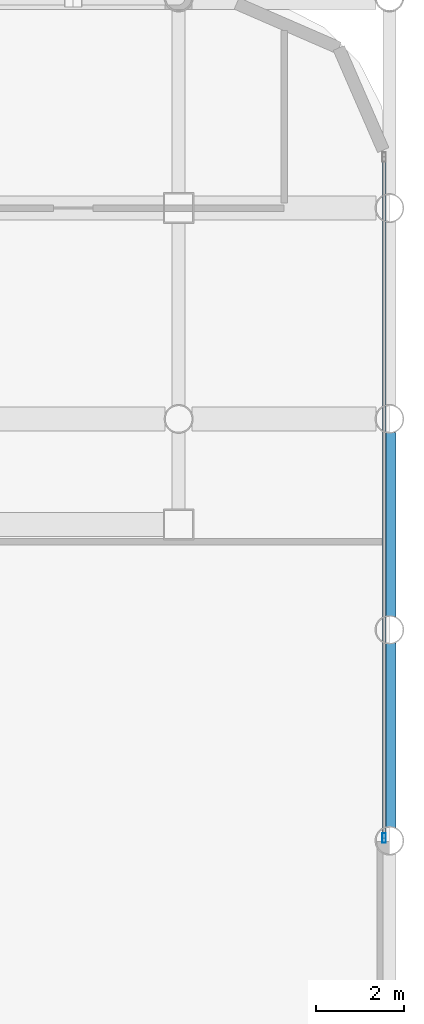
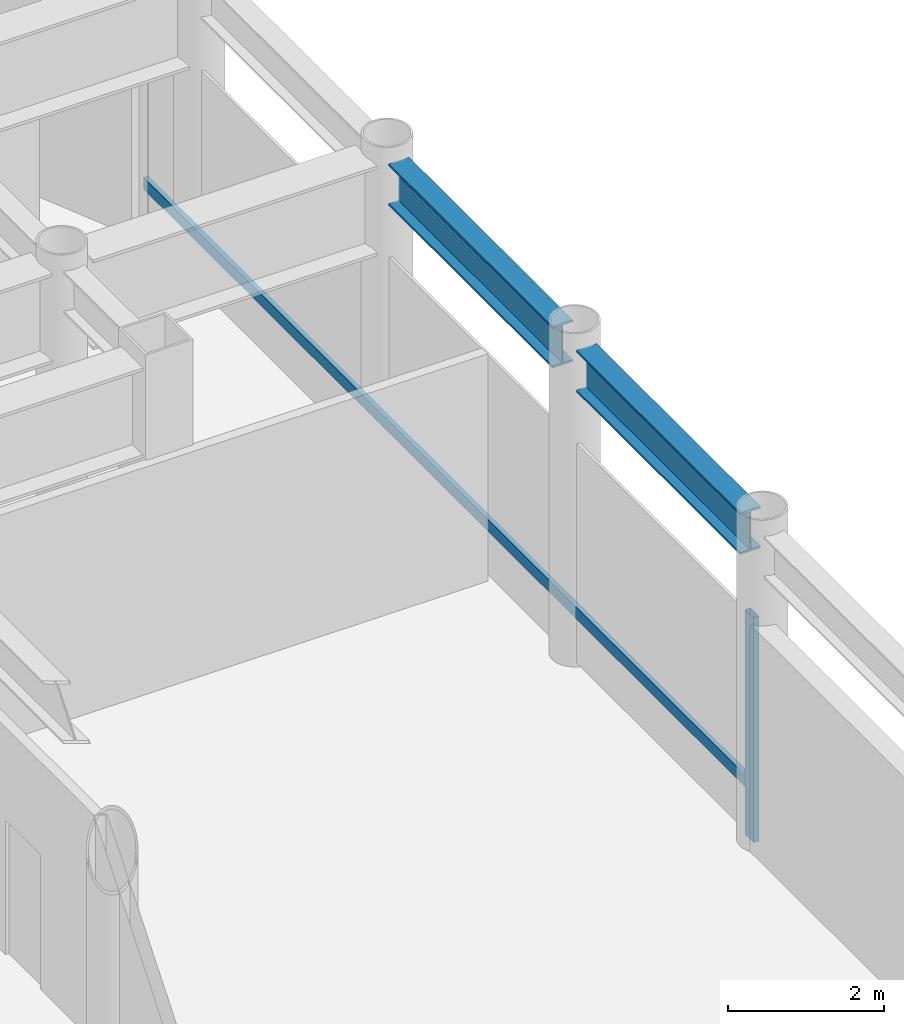
# One storey, part 8 of 20: 2 beams, 2 members, 1 element without a shape of its own.
"""IFC4 building model written with IfcOpenShell, lengths in metres."""

from ifc_helpers import new_model, si_unit, direction, frame, origin, origin_2d, place, context, subcontext, project, spatial, hollow_rectangle, i_section, extrude, material, layer, layer_set, material_profile, profile_set, type_object, element, aggregate, save


model = new_model("IFC4")

# Units and contexts
model_context = context("Model", 3, precision=1e-05, world=origin(), true_north=direction((0.0, 1.0)))
body_context = subcontext(model_context, "Body", "Model", "MODEL_VIEW")
ifc_project = project(units=[si_unit("LENGTHUNIT", "METRE"), si_unit("AREAUNIT", "SQUARE_METRE"), si_unit("VOLUMEUNIT", "CUBIC_METRE"), si_unit("PLANEANGLEUNIT", "RADIAN"), si_unit("MASSUNIT", "GRAM", prefix="KILO")], contexts=[model_context])

# Site, building, storey
site_placement = place(None, origin())
site = spatial("IfcSite", under=ifc_project, at=site_placement, CompositionType="ELEMENT")
building_placement = place(site_placement, origin())
building = spatial("IfcBuilding", under=site, at=building_placement, Name="Kallvorn Hotel Tower", CompositionType="ELEMENT")
storey_placement = place(building_placement, frame((0.0, 0.0, 180.300048828125)))
storey = spatial("IfcBuildingStorey", under=building, at=storey_placement, Name="L45", CompositionType="ELEMENT", Elevation=180.300048828125)

# Beams
ifc_material_1 = material(Name="Structural steel S355JR", Category="steel")
ifc_material_profile_1 = material_profile(ifc_material_1, i_section(OverallWidth=0.300048828125, OverallDepth=0.64990234375, WebThickness=0.01611328125, FlangeThickness=0.031005859375, at=origin_2d()), Name="HE 650 B")
ifc_profile_set_1 = profile_set([ifc_material_profile_1], Name="Structural steel S355JR")
beam_type = type_object("IfcBeamType", Name="BM_HE650B", PredefinedType="BEAM", material=ifc_profile_set_1)
beam_1_placement = place(storey_placement, frame((28.800048828125, 0.304931640625, 4.625), z_axis=(0.0, 1.0, 0.0), x_axis=(-1.0, 0.0, 0.0)))
element("IfcBeam", 1, at=beam_1_placement, inside=storey, type_object=beam_type, Name="L46 Primary Y-Girder 147", PredefinedType="BEAM", context=body_context, shape_type="SweptSolid", body=[
    extrude(i_section(OverallWidth=0.300048828125, OverallDepth=0.64990234375, WebThickness=0.01611328125, FlangeThickness=0.031005859375, at=origin_2d()), origin(), (0.0, 0.0, 1.0), 4.190185546875),
])
beam_2_placement = place(storey_placement, frame((28.800048828125, 5.10498046875, 4.625), z_axis=(0.0, 1.0, 0.0), x_axis=(-1.0, 0.0, 0.0)))
element("IfcBeam", 2, at=beam_2_placement, inside=storey, type_object=beam_type, Name="L46 Primary Y-Girder 148", PredefinedType="BEAM", context=body_context, shape_type="SweptSolid", body=[
    extrude(i_section(OverallWidth=0.300048828125, OverallDepth=0.64990234375, WebThickness=0.01611328125, FlangeThickness=0.031005859375, at=origin_2d()), origin(), (0.0, 0.0, 1.0), 4.18994140625),
])

# Curtain wall, members
ifc_material_2 = material(Name="Thermally broken black-anodised aluminium AA 6063-T6", Category="aluminium")
ifc_layer = layer(ifc_material_2, 0.22998046875)
ifc_layer_set = layer_set([ifc_layer], Name="CW_SYS_5_HOTEL_HIGH")
curtain_wall_type = type_object("IfcCurtainWallType", Name="CW_SYS_5_HOTEL_HIGH", PredefinedType="USERDEFINED", material=ifc_layer_set)
curtain_wall_placement = place(storey_placement, origin())
curtain_wall = element("IfcCurtainWall", 3, at=curtain_wall_placement, inside=storey, type_object=curtain_wall_type, Name="L45 Dark-Glass Curtain Wall CW-L45-EN", ObjectType="UNITISED CURTAIN WALL", PredefinedType="USERDEFINED")
ifc_material_3 = material(Name="Thermally broken black-anodised aluminium AA 6063-T6", Category="aluminium")
ifc_material_profile_2 = material_profile(ifc_material_3, hollow_rectangle(XDim=0.080078125, YDim=0.219970703125, WallThickness=0.0048828125, at=origin_2d()), Name="MUL 220x80")
ifc_profile_set_2 = profile_set([ifc_material_profile_2], Name="Thermally broken black-anodised aluminium AA 6063-T6")
member_type_1 = type_object("IfcMemberType", Name="CW_MULLION_220x80", PredefinedType="MULLION", material=ifc_profile_set_2)
member_1_placement = place(storey_placement, frame((28.679931640625, 0.06005859375, 0.02001953125), z_axis=(0.0, 0.0, 1.0), x_axis=(1.0, 0.0, 0.0)))
member_1 = element("IfcMember", 4, at=member_1_placement, type_object=member_type_1, Name="CW-L45-EN Mullion 00", PredefinedType="MULLION", context=body_context, shape_type="SweptSolid", body=[
    extrude(hollow_rectangle(XDim=0.080078125, YDim=0.219970703125, WallThickness=0.0048828125, at=origin_2d()), origin(), (0.0, 0.0, 1.0), 3.510009765625),
])
ifc_material_4 = material(Name="Thermally broken black-anodised aluminium AA 6063-T6", Category="aluminium")
ifc_material_profile_3 = material_profile(ifc_material_4, hollow_rectangle(XDim=0.070068359375, YDim=0.179931640625, WallThickness=0.00390625, at=origin_2d()), Name="TRN 180x70")
ifc_profile_set_3 = profile_set([ifc_material_profile_3], Name="Thermally broken black-anodised aluminium AA 6063-T6")
member_type_2 = type_object("IfcMemberType", Name="CW_TRANSOM_180x70", PredefinedType="USERDEFINED", material=ifc_profile_set_3)
member_2_placement = place(storey_placement, frame((28.679931640625, 0.06005859375, 0.849853515625), z_axis=(0.0, 1.0, 0.0), x_axis=(-1.0, 0.0, 0.0)))
member_2 = element("IfcMember", 5, at=member_2_placement, type_object=member_type_2, Name="CW-L45-EN Transom 00M", ObjectType="TRANSOM", PredefinedType="USERDEFINED", context=body_context, shape_type="SweptSolid", body=[
    extrude(hollow_rectangle(XDim=0.070068359375, YDim=0.179931640625, WallThickness=0.00390625, at=origin_2d()), origin(), (0.0, 0.0, 1.0), 15.5),
])
aggregate(curtain_wall, [member_1, member_2])

save(model, "model.ifc")
